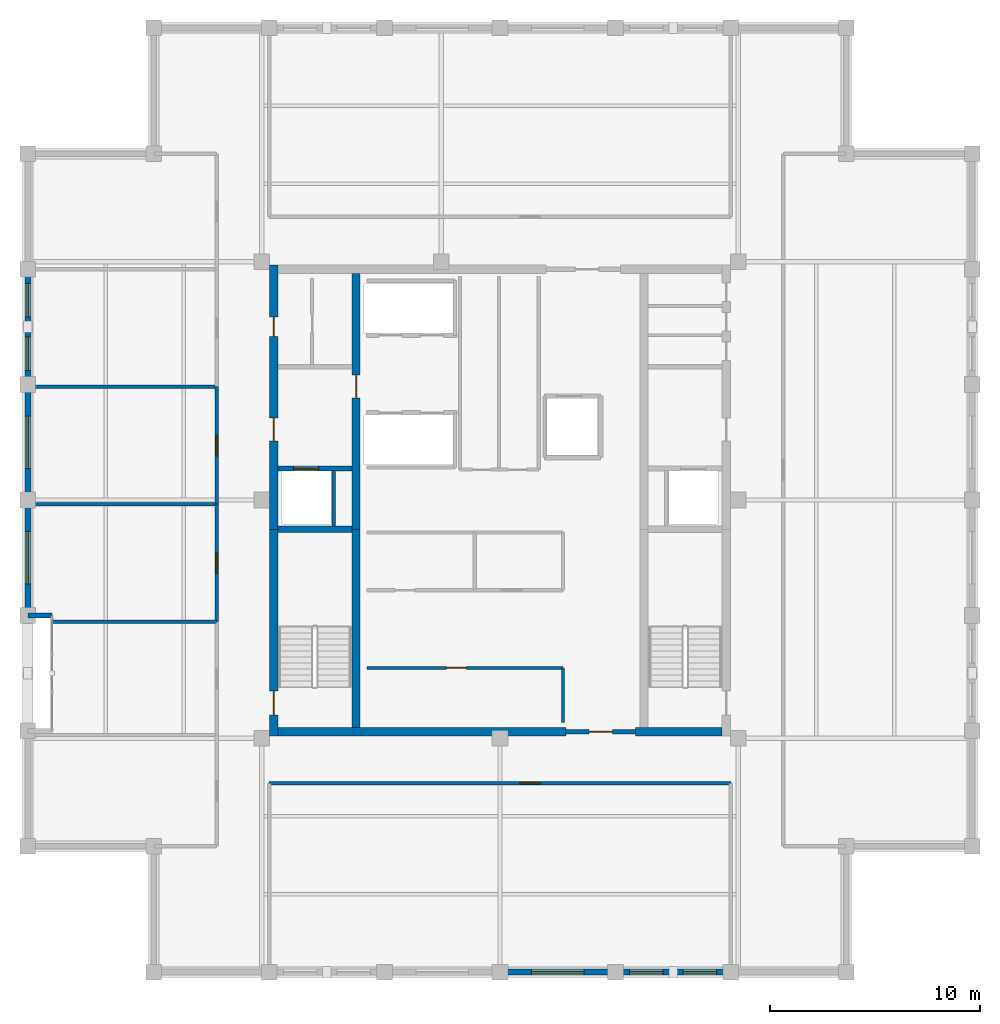
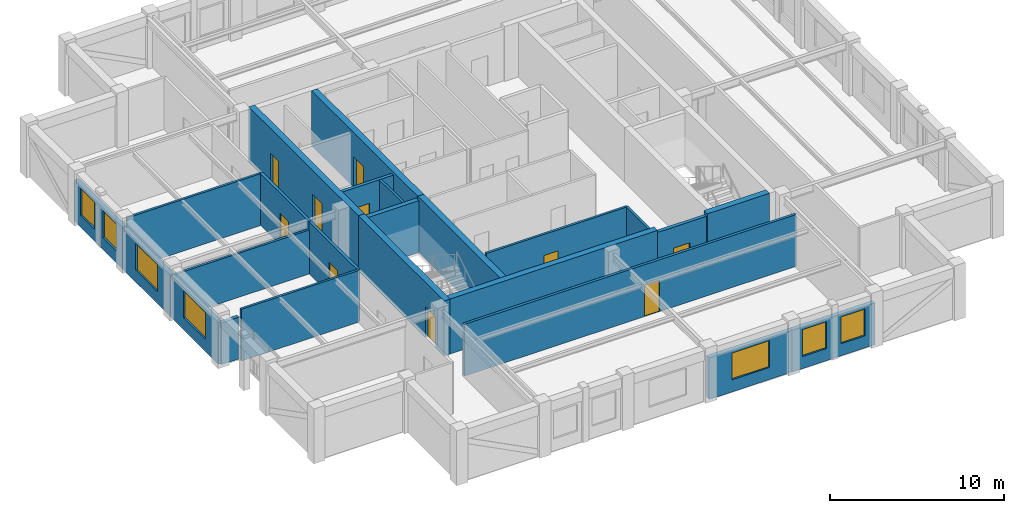
# One storey, part 6 of 10: 24 walls, 10 doors, 7 windows, 17 openings.
"""IFC4 building model written with IfcOpenShell, lengths in metres."""

from ifc_helpers import new_model, si_unit, direction, frame, frame_2d, origin, place, context, subcontext, project, spatial, rectangle, extrude, material, layer, layer_set, type_object, element, fill, save


model = new_model("IFC4")

# Units and contexts
model_context = context("Model", 3, precision=1e-05, world=origin(), true_north=direction((0.0, 1.0)))
body_context = subcontext(model_context, "Body", "Model", "MODEL_VIEW")
ifc_project = project(units=[si_unit("LENGTHUNIT", "METRE"), si_unit("AREAUNIT", "SQUARE_METRE"), si_unit("VOLUMEUNIT", "CUBIC_METRE"), si_unit("PLANEANGLEUNIT", "RADIAN"), si_unit("MASSUNIT", "GRAM", prefix="KILO")], contexts=[model_context])

# Site, building, storey
site_placement = place(None, origin())
site = spatial("IfcSite", under=ifc_project, at=site_placement, CompositionType="ELEMENT")
building_placement = place(site_placement, origin())
building = spatial("IfcBuilding", under=site, at=building_placement, Name="Nhamokura Convention Tower", CompositionType="ELEMENT")
storey_placement = place(building_placement, frame((0.0, 0.0, 304.5)))
storey = spatial("IfcBuildingStorey", under=building, at=storey_placement, Name="L75", CompositionType="ELEMENT", Elevation=304.5)

# Wall, opening, window
ifc_material_1 = material(Name="Bronze-pigmented precast concrete C45/55", Category="concrete")
ifc_layer_1 = layer(ifc_material_1, 0.280029296875)
ifc_layer_set_1 = layer_set([ifc_layer_1], Name="BronzePrecastSpandrel_280")
wall_type_1 = type_object("IfcWallType", Name="BronzePrecastSpandrel_280", PredefinedType="USERDEFINED", material=ifc_layer_set_1)
wall_1_placement = place(storey_placement, frame((37.5, 9.5, 0.0), z_axis=(0.0, 0.0, 1.0), x_axis=(-1.0, 0.0, 0.0)))
wall_1 = element("IfcWall", 1, at=wall_1_placement, inside=storey, type_object=wall_type_1, Name="L75 Masonry-Frame Wall SOUTH 3", ObjectType="SPANDREL_WALL", PredefinedType="USERDEFINED", context=body_context, shape_type="SweptSolid", body=[
    extrude(rectangle(XDim=5.5, YDim=0.280029296875, at=frame_2d((2.75, 0.0))), origin(), (0.0, 0.0, 1.0), 2.929931640625),
])
opening_1_placement = place(wall_1_placement, frame((1.5, 0.0, 0.85009765625)))
opening_1 = element("IfcOpeningElement", 2, at=opening_1_placement, cuts=wall_1, Name="Opening W-09", PredefinedType="OPENING", context=body_context, shape_type="SweptSolid", body=[
    extrude(rectangle(XDim=2.5, YDim=1.8798828125, at=frame_2d((1.25, 0.93994140625))), frame((0.0, 0.14990234375, 0.0), z_axis=(0.0, -1.0, 0.0), x_axis=(1.0, 0.0, 0.0)), (0.0, 0.0, 1.0), 0.300048828125),
])
ifc_material_2 = material(Name="Solar-control bronze low-E double glass", Category="glass")
window_type_1 = type_object("IfcWindowType", Name="SummitWindow_Z4_2500", PartitioningType="DOUBLE_PANEL_VERTICAL", PredefinedType="WINDOW", material=ifc_material_2)
window_1_placement = place(opening_1_placement, origin())
window_1 = element("IfcWindow", 3, at=window_1_placement, inside=storey, type_object=window_type_1, Name="L75 Facade Window SOUTH 3", OverallHeight=1.8798828125, OverallWidth=2.5, PartitioningType="SINGLE_PANEL", PredefinedType="WINDOW", context=body_context, shape_type="SweptSolid", body=[
    extrude(rectangle(XDim=2.5, YDim=1.8798828125, at=frame_2d((1.25, 0.93994140625))), frame((0.0, 0.030029296875, 0.0), z_axis=(0.0, -1.0, 0.0), x_axis=(1.0, 0.0, 0.0)), (0.0, 0.0, 1.0), 0.06005859375),
])
fill(opening_1, window_1)

# Wall, openings, windows
wall_2_placement = place(storey_placement, frame((43.0, 9.5, 0.0), z_axis=(0.0, 0.0, 1.0), x_axis=(-1.0, 0.0, 0.0)))
wall_2 = element("IfcWall", 4, at=wall_2_placement, inside=storey, type_object=wall_type_1, Name="L75 Masonry-Frame Wall SOUTH 4", ObjectType="SPANDREL_WALL", PredefinedType="USERDEFINED", context=body_context, shape_type="SweptSolid", body=[
    extrude(rectangle(XDim=5.5, YDim=0.280029296875, at=frame_2d((2.75, 0.0))), origin(), (0.0, 0.0, 1.0), 2.929931640625),
])
opening_2_placement = place(wall_2_placement, frame((0.675048828125, 0.0, 0.85009765625)))
opening_2 = element("IfcOpeningElement", 5, at=opening_2_placement, cuts=wall_2, Name="Opening W-11", PredefinedType="OPENING", context=body_context, shape_type="SweptSolid", body=[
    extrude(rectangle(XDim=1.60009765625, YDim=1.8798828125, at=frame_2d((0.800048828125, 0.93994140625))), frame((0.0, 0.14990234375, 0.0), z_axis=(0.0, -1.0, 0.0), x_axis=(1.0, 0.0, 0.0)), (0.0, 0.0, 1.0), 0.300048828125),
])
opening_3_placement = place(wall_2_placement, frame((3.22509765625, 0.0, 0.85009765625)))
opening_3 = element("IfcOpeningElement", 6, at=opening_3_placement, cuts=wall_2, Name="Opening W-11", PredefinedType="OPENING", context=body_context, shape_type="SweptSolid", body=[
    extrude(rectangle(XDim=1.60009765625, YDim=1.8798828125, at=frame_2d((0.800048828125, 0.93994140625))), frame((0.0, 0.14990234375, 0.0), z_axis=(0.0, -1.0, 0.0), x_axis=(1.0, 0.0, 0.0)), (0.0, 0.0, 1.0), 0.300048828125),
])
ifc_material_3 = material(Name="Solar-control bronze low-E double glass", Category="glass")
window_type_2 = type_object("IfcWindowType", Name="NotchCornerWindow_1600", PartitioningType="SINGLE_PANEL", PredefinedType="WINDOW", material=ifc_material_3)
window_2_placement = place(opening_2_placement, origin())
window_2 = element("IfcWindow", 7, at=window_2_placement, inside=storey, type_object=window_type_2, Name="L75 Facade Window SOUTH 4-1", OverallHeight=1.8798828125, OverallWidth=1.60009765625, PartitioningType="SINGLE_PANEL", PredefinedType="WINDOW", context=body_context, shape_type="SweptSolid", body=[
    extrude(rectangle(XDim=1.60009765625, YDim=1.8798828125, at=frame_2d((0.800048828125, 0.93994140625))), frame((0.0, 0.030029296875, 0.0), z_axis=(0.0, -1.0, 0.0), x_axis=(1.0, 0.0, 0.0)), (0.0, 0.0, 1.0), 0.06005859375),
])
fill(opening_2, window_2)
window_3_placement = place(opening_3_placement, origin())
window_3 = element("IfcWindow", 8, at=window_3_placement, inside=storey, type_object=window_type_2, Name="L75 Facade Window SOUTH 4-2", OverallHeight=1.8798828125, OverallWidth=1.60009765625, PartitioningType="SINGLE_PANEL", PredefinedType="WINDOW", context=body_context, shape_type="SweptSolid", body=[
    extrude(rectangle(XDim=1.60009765625, YDim=1.8798828125, at=frame_2d((0.800048828125, 0.93994140625))), frame((0.0, 0.030029296875, 0.0), z_axis=(0.0, -1.0, 0.0), x_axis=(1.0, 0.0, 0.0)), (0.0, 0.0, 1.0), 0.06005859375),
])
fill(opening_3, window_3)

# Wall
wall_3_placement = place(storey_placement, frame((9.5, 26.5, 0.0), z_axis=(0.0, 0.0, 1.0), x_axis=(1.0, 0.0, 0.0)))
element("IfcWall", 9, at=wall_3_placement, inside=storey, type_object=wall_type_1, Name="L75 Scale Slot Cheek Wall WESTB", ObjectType="SPANDREL_WALL", PredefinedType="USERDEFINED", context=body_context, shape_type="SweptSolid", body=[
    extrude(rectangle(XDim=1.14990234375, YDim=0.239990234375, at=frame_2d((0.574951171875, 0.0))), origin(), (0.0, 0.0, 1.0), 2.929931640625),
])

# Wall, opening, window
wall_4_placement = place(storey_placement, frame((9.5, 26.5, 0.0), z_axis=(0.0, 0.0, 1.0), x_axis=(0.0, 1.0, 0.0)))
wall_4 = element("IfcWall", 10, at=wall_4_placement, inside=storey, type_object=wall_type_1, Name="L75 Masonry-Frame Wall WEST 2", ObjectType="SPANDREL_WALL", PredefinedType="USERDEFINED", context=body_context, shape_type="SweptSolid", body=[
    extrude(rectangle(XDim=5.5, YDim=0.280029296875, at=frame_2d((2.75, 0.0))), origin(), (0.0, 0.0, 1.0), 2.929931640625),
])
opening_4_placement = place(wall_4_placement, frame((1.5, 0.0, 0.85009765625)))
opening_4 = element("IfcOpeningElement", 11, at=opening_4_placement, cuts=wall_4, Name="Opening W-09", PredefinedType="OPENING", context=body_context, shape_type="SweptSolid", body=[
    extrude(rectangle(XDim=2.5, YDim=1.8798828125, at=frame_2d((1.25, 0.93994140625))), frame((0.0, 0.14990234375, 0.0), z_axis=(0.0, -1.0, 0.0), x_axis=(1.0, 0.0, 0.0)), (0.0, 0.0, 1.0), 0.300048828125),
])
window_4_placement = place(opening_4_placement, origin())
window_4 = element("IfcWindow", 12, at=window_4_placement, inside=storey, type_object=window_type_1, Name="L75 Facade Window WEST 2", OverallHeight=1.8798828125, OverallWidth=2.5, PartitioningType="SINGLE_PANEL", PredefinedType="WINDOW", context=body_context, shape_type="SweptSolid", body=[
    extrude(rectangle(XDim=2.5, YDim=1.8798828125, at=frame_2d((1.25, 0.93994140625))), frame((0.0, 0.030029296875, 0.0), z_axis=(0.0, -1.0, 0.0), x_axis=(1.0, 0.0, 0.0)), (0.0, 0.0, 1.0), 0.06005859375),
])
fill(opening_4, window_4)

wall_5_placement = place(storey_placement, frame((9.5, 32.0, 0.0), z_axis=(0.0, 0.0, 1.0), x_axis=(0.0, 1.0, 0.0)))
wall_5 = element("IfcWall", 13, at=wall_5_placement, inside=storey, type_object=wall_type_1, Name="L75 Masonry-Frame Wall WEST 3", ObjectType="SPANDREL_WALL", PredefinedType="USERDEFINED", context=body_context, shape_type="SweptSolid", body=[
    extrude(rectangle(XDim=5.5, YDim=0.280029296875, at=frame_2d((2.75, 0.0))), origin(), (0.0, 0.0, 1.0), 2.929931640625),
])
opening_5_placement = place(wall_5_placement, frame((1.5, 0.0, 0.85009765625)))
opening_5 = element("IfcOpeningElement", 14, at=opening_5_placement, cuts=wall_5, Name="Opening W-09", PredefinedType="OPENING", context=body_context, shape_type="SweptSolid", body=[
    extrude(rectangle(XDim=2.5, YDim=1.8798828125, at=frame_2d((1.25, 0.93994140625))), frame((0.0, 0.14990234375, 0.0), z_axis=(0.0, -1.0, 0.0), x_axis=(1.0, 0.0, 0.0)), (0.0, 0.0, 1.0), 0.300048828125),
])
window_5_placement = place(opening_5_placement, origin())
window_5 = element("IfcWindow", 15, at=window_5_placement, inside=storey, type_object=window_type_1, Name="L75 Facade Window WEST 3", OverallHeight=1.8798828125, OverallWidth=2.5, PartitioningType="SINGLE_PANEL", PredefinedType="WINDOW", context=body_context, shape_type="SweptSolid", body=[
    extrude(rectangle(XDim=2.5, YDim=1.8798828125, at=frame_2d((1.25, 0.93994140625))), frame((0.0, 0.030029296875, 0.0), z_axis=(0.0, -1.0, 0.0), x_axis=(1.0, 0.0, 0.0)), (0.0, 0.0, 1.0), 0.06005859375),
])
fill(opening_5, window_5)

# Wall, openings, windows
wall_6_placement = place(storey_placement, frame((9.5, 37.5, 0.0), z_axis=(0.0, 0.0, 1.0), x_axis=(0.0, 1.0, 0.0)))
wall_6 = element("IfcWall", 16, at=wall_6_placement, inside=storey, type_object=wall_type_1, Name="L75 Masonry-Frame Wall WEST 4", ObjectType="SPANDREL_WALL", PredefinedType="USERDEFINED", context=body_context, shape_type="SweptSolid", body=[
    extrude(rectangle(XDim=5.5, YDim=0.280029296875, at=frame_2d((2.75, 0.0))), origin(), (0.0, 0.0, 1.0), 2.929931640625),
])
opening_6_placement = place(wall_6_placement, frame((0.675048828125, 0.0, 0.85009765625)))
opening_6 = element("IfcOpeningElement", 17, at=opening_6_placement, cuts=wall_6, Name="Opening W-11", PredefinedType="OPENING", context=body_context, shape_type="SweptSolid", body=[
    extrude(rectangle(XDim=1.60009765625, YDim=1.8798828125, at=frame_2d((0.800048828125, 0.93994140625))), frame((0.0, 0.14990234375, 0.0), z_axis=(0.0, -1.0, 0.0), x_axis=(1.0, 0.0, 0.0)), (0.0, 0.0, 1.0), 0.300048828125),
])
opening_7_placement = place(wall_6_placement, frame((3.22509765625, 0.0, 0.85009765625)))
opening_7 = element("IfcOpeningElement", 18, at=opening_7_placement, cuts=wall_6, Name="Opening W-11", PredefinedType="OPENING", context=body_context, shape_type="SweptSolid", body=[
    extrude(rectangle(XDim=1.60009765625, YDim=1.8798828125, at=frame_2d((0.800048828125, 0.93994140625))), frame((0.0, 0.14990234375, 0.0), z_axis=(0.0, -1.0, 0.0), x_axis=(1.0, 0.0, 0.0)), (0.0, 0.0, 1.0), 0.300048828125),
])
window_6_placement = place(opening_6_placement, origin())
window_6 = element("IfcWindow", 19, at=window_6_placement, inside=storey, type_object=window_type_2, Name="L75 Facade Window WEST 4-1", OverallHeight=1.8798828125, OverallWidth=1.60009765625, PartitioningType="SINGLE_PANEL", PredefinedType="WINDOW", context=body_context, shape_type="SweptSolid", body=[
    extrude(rectangle(XDim=1.60009765625, YDim=1.8798828125, at=frame_2d((0.800048828125, 0.93994140625))), frame((0.0, 0.030029296875, 0.0), z_axis=(0.0, -1.0, 0.0), x_axis=(1.0, 0.0, 0.0)), (0.0, 0.0, 1.0), 0.06005859375),
])
fill(opening_6, window_6)
window_7_placement = place(opening_7_placement, origin())
window_7 = element("IfcWindow", 20, at=window_7_placement, inside=storey, type_object=window_type_2, Name="L75 Facade Window WEST 4-2", OverallHeight=1.8798828125, OverallWidth=1.60009765625, PartitioningType="SINGLE_PANEL", PredefinedType="WINDOW", context=body_context, shape_type="SweptSolid", body=[
    extrude(rectangle(XDim=1.60009765625, YDim=1.8798828125, at=frame_2d((0.800048828125, 0.93994140625))), frame((0.0, 0.030029296875, 0.0), z_axis=(0.0, -1.0, 0.0), x_axis=(1.0, 0.0, 0.0)), (0.0, 0.0, 1.0), 0.06005859375),
])
fill(opening_7, window_7)

# Wall, opening, door
ifc_material_4 = material(Name="Concrete C50/60", Category="concrete")
ifc_layer_2 = layer(ifc_material_4, 0.39990234375)
ifc_layer_set_2 = layer_set([ifc_layer_2], Name="CoreShearWall_400")
wall_type_2 = type_object("IfcWallType", Name="CoreShearWall_400", PredefinedType="SHEAR", material=ifc_layer_set_2)
wall_7_placement = place(storey_placement, frame((21.2099609375, 20.75, 0.0), z_axis=(0.0, 0.0, 1.0), x_axis=(0.0, 1.0, 0.0)))
wall_7 = element("IfcWall", 21, at=wall_7_placement, inside=storey, type_object=wall_type_2, Name="L75 Core Shear Wall CW-WS", PredefinedType="SHEAR", context=body_context, shape_type="SweptSolid", body=[
    extrude(rectangle(XDim=9.85009765625, YDim=0.39990234375, at=frame_2d((4.925048828125, 0.0))), origin(), (0.0, 0.0, 1.0), 3.85009765625),
])
opening_8_placement = place(wall_7_placement, frame((1.0, 0.0, 0.0)))
opening_8 = element("IfcOpeningElement", 22, at=opening_8_placement, cuts=wall_7, Name="Opening D-04", PredefinedType="OPENING", context=body_context, shape_type="SweptSolid", body=[
    extrude(rectangle(XDim=1.14990234375, YDim=2.14990234375, at=frame_2d((0.574951171875, 1.074951171875))), frame((0.0, 0.2099609375, 0.0), z_axis=(0.0, -1.0, 0.0), x_axis=(1.0, 0.0, 0.0)), (0.0, 0.0, 1.0), 0.419921875),
])
ifc_material_5 = material(Name="Fire-rated steel door", Category="steel")
door_type_1 = type_object("IfcDoorType", Name="StairSmokeDoor_1150", OperationType="NOTDEFINED", PredefinedType="DOOR", material=ifc_material_5)
door_1_placement = place(opening_8_placement, origin())
door_1 = element("IfcDoor", 23, at=door_1_placement, inside=storey, type_object=door_type_1, Name="L75 Core Door INT-L75-D-ST01", OperationType="SINGLE_SWING_LEFT", OverallHeight=2.14990234375, OverallWidth=1.14990234375, PredefinedType="DOOR", context=body_context, shape_type="SweptSolid", body=[
    extrude(rectangle(XDim=1.14990234375, YDim=2.14990234375, at=frame_2d((0.574951171875, 1.074951171875))), frame((0.0, 0.02490234375, 0.0), z_axis=(0.0, -1.0, 0.0), x_axis=(1.0, 0.0, 0.0)), (0.0, 0.0, 1.0), 0.050048828125),
])
fill(opening_8, door_1)

# Wall, openings, doors
wall_8_placement = place(storey_placement, frame((21.2099609375, 30.60009765625, 0.0), z_axis=(0.0, 0.0, 1.0), x_axis=(0.0, 1.0, 0.0)))
wall_8 = element("IfcWall", 24, at=wall_8_placement, inside=storey, type_object=wall_type_2, Name="L75 Core Shear Wall CW-WN", PredefinedType="SHEAR", context=body_context, shape_type="SweptSolid", body=[
    extrude(rectangle(XDim=12.599853515625, YDim=0.39990234375, at=frame_2d((6.2998046875, 0.0))), origin(), (0.0, 0.0, 1.0), 3.85009765625),
])
opening_9_placement = place(wall_8_placement, frame((4.199951171875, 0.0, 0.0)))
opening_9 = element("IfcOpeningElement", 25, at=opening_9_placement, cuts=wall_8, Name="Opening D-05", PredefinedType="OPENING", context=body_context, shape_type="SweptSolid", body=[
    extrude(rectangle(XDim=1.10009765625, YDim=2.14990234375, at=frame_2d((0.550048828125, 1.074951171875))), frame((0.0, 0.2099609375, 0.0), z_axis=(0.0, -1.0, 0.0), x_axis=(1.0, 0.0, 0.0)), (0.0, 0.0, 1.0), 0.419921875),
])
opening_10_placement = place(wall_8_placement, frame((9.199951171875, 0.0, 0.0)))
opening_10 = element("IfcOpeningElement", 26, at=opening_10_placement, cuts=wall_8, Name="Opening D-10", PredefinedType="OPENING", context=body_context, shape_type="SweptSolid", body=[
    extrude(rectangle(XDim=0.919921875, YDim=2.10009765625, at=frame_2d((0.4599609375, 1.050048828125))), frame((0.0, 0.2099609375, 0.0), z_axis=(0.0, -1.0, 0.0), x_axis=(1.0, 0.0, 0.0)), (0.0, 0.0, 1.0), 0.419921875),
])
ifc_material_6 = material(Name="Solid oak hardwood", Category="wood")
door_type_2 = type_object("IfcDoorType", Name="AccessibleWCDoor_920", OperationType="NOTDEFINED", PredefinedType="DOOR", material=ifc_material_6)
door_2_placement = place(opening_10_placement, origin())
door_2 = element("IfcDoor", 27, at=door_2_placement, inside=storey, type_object=door_type_2, Name="L75 Core Door INT-L75-D-AWCW", OperationType="SINGLE_SWING_RIGHT", OverallHeight=2.10009765625, OverallWidth=0.919921875, PredefinedType="DOOR", context=body_context, shape_type="SweptSolid", body=[
    extrude(rectangle(XDim=0.919921875, YDim=2.10009765625, at=frame_2d((0.4599609375, 1.050048828125))), frame((0.0, 0.02490234375, 0.0), z_axis=(0.0, -1.0, 0.0), x_axis=(1.0, 0.0, 0.0)), (0.0, 0.0, 1.0), 0.050048828125),
])
fill(opening_10, door_2)
ifc_material_7 = material(Name="Fire-rated steel door", Category="steel")
door_type_3 = type_object("IfcDoorType", Name="FireLobbyDoor_1100", OperationType="NOTDEFINED", PredefinedType="DOOR", material=ifc_material_7)
door_3_placement = place(opening_9_placement, origin())
door_3 = element("IfcDoor", 28, at=door_3_placement, inside=storey, type_object=door_type_3, Name="L75 Core Door INT-L75-D-FFLW", OperationType="SINGLE_SWING_RIGHT", OverallHeight=2.14990234375, OverallWidth=1.10009765625, PredefinedType="DOOR", context=body_context, shape_type="SweptSolid", body=[
    extrude(rectangle(XDim=1.10009765625, YDim=2.14990234375, at=frame_2d((0.550048828125, 1.074951171875))), frame((0.0, 0.02490234375, 0.0), z_axis=(0.0, -1.0, 0.0), x_axis=(1.0, 0.0, 0.0)), (0.0, 0.0, 1.0), 0.050048828125),
])
fill(opening_9, door_3)

# Walls
wall_9_placement = place(storey_placement, frame((21.409912109375, 20.949951171875, 0.0), z_axis=(0.0, 0.0, 1.0), x_axis=(1.0, 0.0, 0.0)))
element("IfcWall", 29, at=wall_9_placement, inside=storey, type_object=wall_type_2, Name="L75 Core Shear Wall CW-S1", PredefinedType="SHEAR", context=body_context, shape_type="SweptSolid", body=[
    extrude(rectangle(XDim=13.739990234375, YDim=0.39990234375, at=frame_2d((6.8701171875, 0.0))), origin(), (0.0, 0.0, 1.0), 3.85009765625),
])
wall_10_placement = place(storey_placement, frame((38.449951171875, 20.949951171875, 0.0), z_axis=(0.0, 0.0, 1.0), x_axis=(1.0, 0.0, 0.0)))
element("IfcWall", 30, at=wall_10_placement, inside=storey, type_object=wall_type_2, Name="L75 Core Shear Wall CW-S2", PredefinedType="SHEAR", context=body_context, shape_type="SweptSolid", body=[
    extrude(rectangle(XDim=4.14013671875, YDim=0.39990234375, at=frame_2d((2.070068359375, 0.0))), origin(), (0.0, 0.0, 1.0), 3.85009765625),
])
wall_11_placement = place(storey_placement, frame((25.139892578125, 21.14990234375, 0.0), z_axis=(0.0, 0.0, 1.0), x_axis=(0.0, 1.0, 0.0)))
element("IfcWall", 31, at=wall_11_placement, inside=storey, type_object=wall_type_2, Name="L75 Core Shear Wall CW-IWS", PredefinedType="SHEAR", context=body_context, shape_type="SweptSolid", body=[
    extrude(rectangle(XDim=9.4501953125, YDim=0.39990234375, at=frame_2d((4.72509765625, 0.0))), origin(), (0.0, 0.0, 1.0), 3.85009765625),
])

# Wall, opening, door
wall_12_placement = place(storey_placement, frame((25.139892578125, 30.60009765625, 0.0), z_axis=(0.0, 0.0, 1.0), x_axis=(0.0, 1.0, 0.0)))
wall_12 = element("IfcWall", 32, at=wall_12_placement, inside=storey, type_object=wall_type_2, Name="L75 Core Shear Wall CW-IWN", PredefinedType="SHEAR", context=body_context, shape_type="SweptSolid", body=[
    extrude(rectangle(XDim=12.199951171875, YDim=0.39990234375, at=frame_2d((6.10009765625, 0.0))), origin(), (0.0, 0.0, 1.0), 3.85009765625),
])
opening_11_placement = place(wall_12_placement, frame((6.25, 0.0, 0.0)))
opening_11 = element("IfcOpeningElement", 33, at=opening_11_placement, cuts=wall_12, Name="Opening D-05", PredefinedType="OPENING", context=body_context, shape_type="SweptSolid", body=[
    extrude(rectangle(XDim=1.10009765625, YDim=2.14990234375, at=frame_2d((0.550048828125, 1.074951171875))), frame((0.0, 0.2099609375, 0.0), z_axis=(0.0, -1.0, 0.0), x_axis=(1.0, 0.0, 0.0)), (0.0, 0.0, 1.0), 0.419921875),
])
door_4_placement = place(opening_11_placement, origin())
door_4 = element("IfcDoor", 34, at=door_4_placement, inside=storey, type_object=door_type_3, Name="L75 Core Door INT-L75-D-B3LOB", OperationType="SINGLE_SWING_LEFT", OverallHeight=2.14990234375, OverallWidth=1.10009765625, PredefinedType="DOOR", context=body_context, shape_type="SweptSolid", body=[
    extrude(rectangle(XDim=1.10009765625, YDim=2.14990234375, at=frame_2d((0.550048828125, 1.074951171875))), frame((0.0, 0.02490234375, 0.0), z_axis=(0.0, -1.0, 0.0), x_axis=(1.0, 0.0, 0.0)), (0.0, 0.0, 1.0), 0.050048828125),
])
fill(opening_11, door_4)

ifc_material_8 = material(Name="Fire-rated gypsum and masonry partition", Category="masonry")
ifc_layer_3 = layer(ifc_material_8, 0.179931640625)
ifc_layer_set_3 = layer_set([ifc_layer_3], Name="CorridorRatedWall_180")
wall_type_3 = type_object("IfcWallType", Name="CorridorRatedWall_180", PredefinedType="STANDARD", material=ifc_layer_set_3)
wall_13_placement = place(storey_placement, frame((21.0, 18.5, 0.0), z_axis=(0.0, 0.0, 1.0), x_axis=(1.0, 0.0, 0.0)))
wall_13 = element("IfcWall", 35, at=wall_13_placement, inside=storey, type_object=wall_type_3, Name="L75 Wall INT-L75-CW-S00", PredefinedType="STANDARD", context=body_context, shape_type="SweptSolid", body=[
    extrude(rectangle(XDim=22.0, YDim=0.179931640625, at=frame_2d((11.0, 0.0))), origin(), (0.0, 0.0, 1.0), 3.6298828125),
])
opening_12_placement = place(wall_13_placement, frame((11.949951171875, 0.0, 0.0)))
opening_12 = element("IfcOpeningElement", 36, at=opening_12_placement, cuts=wall_13, Name="Opening D-08", PredefinedType="OPENING", context=body_context, shape_type="SweptSolid", body=[
    extrude(rectangle(XDim=0.97998046875, YDim=2.199951171875, at=frame_2d((0.489990234375, 1.10009765625))), frame((0.0, 0.099853515625, 0.0), z_axis=(0.0, -1.0, 0.0), x_axis=(1.0, 0.0, 0.0)), (0.0, 0.0, 1.0), 0.199951171875),
])
ifc_material_9 = material(Name="Solid oak hardwood", Category="wood")
door_type_4 = type_object("IfcDoorType", Name="OfficeEntryDoor_980", OperationType="NOTDEFINED", PredefinedType="DOOR", material=ifc_material_9)
door_5_placement = place(opening_12_placement, origin())
door_5 = element("IfcDoor", 37, at=door_5_placement, inside=storey, type_object=door_type_4, Name="L75 Banquet Dining Room S01 Door", OperationType="SINGLE_SWING_LEFT", OverallHeight=2.199951171875, OverallWidth=0.97998046875, PredefinedType="DOOR", context=body_context, shape_type="SweptSolid", body=[
    extrude(rectangle(XDim=0.97998046875, YDim=2.199951171875, at=frame_2d((0.489990234375, 1.10009765625))), frame((0.0, 0.02490234375, 0.0), z_axis=(0.0, -1.0, 0.0), x_axis=(1.0, 0.0, 0.0)), (0.0, 0.0, 1.0), 0.050048828125),
])
fill(opening_12, door_5)

wall_14_placement = place(storey_placement, frame((18.5, 26.199951171875, 0.0), z_axis=(0.0, 0.0, 1.0), x_axis=(0.0, 1.0, 0.0)))
wall_14 = element("IfcWall", 38, at=wall_14_placement, inside=storey, type_object=wall_type_3, Name="L75 Wall INT-L75-CW-W02", PredefinedType="STANDARD", context=body_context, shape_type="SweptSolid", body=[
    extrude(rectangle(XDim=5.60009765625, YDim=0.179931640625, at=frame_2d((2.800048828125, 0.0))), origin(), (0.0, 0.0, 1.0), 3.6298828125),
])
opening_13_placement = place(wall_14_placement, frame((2.300048828125, 0.0, 0.0)))
opening_13 = element("IfcOpeningElement", 39, at=opening_13_placement, cuts=wall_14, Name="Opening D-08", PredefinedType="OPENING", context=body_context, shape_type="SweptSolid", body=[
    extrude(rectangle(XDim=0.97998046875, YDim=2.199951171875, at=frame_2d((0.489990234375, 1.10009765625))), frame((0.0, 0.099853515625, 0.0), z_axis=(0.0, -1.0, 0.0), x_axis=(1.0, 0.0, 0.0)), (0.0, 0.0, 1.0), 0.199951171875),
])
door_6_placement = place(opening_13_placement, origin())
door_6 = element("IfcDoor", 40, at=door_6_placement, inside=storey, type_object=door_type_4, Name="L75 Broadcast Studio W03 Door", OperationType="SINGLE_SWING_LEFT", OverallHeight=2.199951171875, OverallWidth=0.97998046875, PredefinedType="DOOR", context=body_context, shape_type="SweptSolid", body=[
    extrude(rectangle(XDim=0.97998046875, YDim=2.199951171875, at=frame_2d((0.489990234375, 1.10009765625))), frame((0.0, 0.02490234375, 0.0), z_axis=(0.0, -1.0, 0.0), x_axis=(1.0, 0.0, 0.0)), (0.0, 0.0, 1.0), 0.050048828125),
])
fill(opening_13, door_6)

wall_15_placement = place(storey_placement, frame((18.5, 31.800048828125, 0.0), z_axis=(0.0, 0.0, 1.0), x_axis=(0.0, 1.0, 0.0)))
wall_15 = element("IfcWall", 41, at=wall_15_placement, inside=storey, type_object=wall_type_3, Name="L75 Wall INT-L75-CW-W03", PredefinedType="STANDARD", context=body_context, shape_type="SweptSolid", body=[
    extrude(rectangle(XDim=5.599853515625, YDim=0.179931640625, at=frame_2d((2.7998046875, 0.0))), origin(), (0.0, 0.0, 1.0), 3.6298828125),
])
opening_14_placement = place(wall_15_placement, frame((2.300048828125, 0.0, 0.0)))
opening_14 = element("IfcOpeningElement", 42, at=opening_14_placement, cuts=wall_15, Name="Opening D-08", PredefinedType="OPENING", context=body_context, shape_type="SweptSolid", body=[
    extrude(rectangle(XDim=0.97998046875, YDim=2.199951171875, at=frame_2d((0.489990234375, 1.10009765625))), frame((0.0, 0.099853515625, 0.0), z_axis=(0.0, -1.0, 0.0), x_axis=(1.0, 0.0, 0.0)), (0.0, 0.0, 1.0), 0.199951171875),
])
door_7_placement = place(opening_14_placement, origin())
door_7 = element("IfcDoor", 43, at=door_7_placement, inside=storey, type_object=door_type_4, Name="L75 Data Laboratory W04 Door", OperationType="SINGLE_SWING_RIGHT", OverallHeight=2.199951171875, OverallWidth=0.97998046875, PredefinedType="DOOR", context=body_context, shape_type="SweptSolid", body=[
    extrude(rectangle(XDim=0.97998046875, YDim=2.199951171875, at=frame_2d((0.489990234375, 1.10009765625))), frame((0.0, 0.02490234375, 0.0), z_axis=(0.0, -1.0, 0.0), x_axis=(1.0, 0.0, 0.0)), (0.0, 0.0, 1.0), 0.050048828125),
])
fill(opening_14, door_7)

ifc_material_10 = material(Name="Autoclaved concrete blockwork", Category="masonry")
ifc_layer_4 = layer(ifc_material_10, 0.219970703125)
ifc_layer_set_4 = layer_set([ifc_layer_4], Name="FireLobbyWall_220")
wall_type_4 = type_object("IfcWallType", Name="FireLobbyWall_220", PredefinedType="STANDARD", material=ifc_layer_set_4)
wall_16_placement = place(storey_placement, frame((21.409912109375, 33.5, 0.0), z_axis=(0.0, 0.0, 1.0), x_axis=(1.0, 0.0, 0.0)))
wall_16 = element("IfcWall", 44, at=wall_16_placement, inside=storey, type_object=wall_type_4, Name="L75 Wall INT-L75-FFW-S", PredefinedType="STANDARD", context=body_context, shape_type="SweptSolid", body=[
    extrude(rectangle(XDim=3.530029296875, YDim=0.219970703125, at=frame_2d((1.76513671875, 0.0))), origin(), (0.0, 0.0, 1.0), 3.6298828125),
])
opening_15_placement = place(wall_16_placement, frame((0.75, 0.0, 0.0)))
opening_15 = element("IfcOpeningElement", 45, at=opening_15_placement, cuts=wall_16, Name="Opening LD-02", PredefinedType="OPENING", context=body_context, shape_type="SweptSolid", body=[
    extrude(rectangle(XDim=1.199951171875, YDim=2.199951171875, at=frame_2d((0.60009765625, 1.10009765625))), frame((0.0, 0.119873046875, 0.0), z_axis=(0.0, -1.0, 0.0), x_axis=(1.0, 0.0, 0.0)), (0.0, 0.0, 1.0), 0.239990234375),
])
ifc_material_11 = material(Name="Anodised bronze stainless steel", Category="steel")
door_type_5 = type_object("IfcDoorType", Name="LiftLandingDoor_FireService", OperationType="DOUBLE_DOOR_SLIDING", PredefinedType="DOOR", material=ifc_material_11)
door_8_placement = place(opening_15_placement, origin())
door_8 = element("IfcDoor", 46, at=door_8_placement, inside=storey, type_object=door_type_5, Name="L75 Firefighting Lift LF-01 Door", OperationType="DOUBLE_DOOR_SLIDING", OverallHeight=2.199951171875, OverallWidth=1.199951171875, PredefinedType="DOOR", context=body_context, shape_type="SweptSolid", body=[
    extrude(rectangle(XDim=1.199951171875, YDim=2.199951171875, at=frame_2d((0.60009765625, 1.10009765625))), frame((0.0, 0.02490234375, 0.0), z_axis=(0.0, -1.0, 0.0), x_axis=(1.0, 0.0, 0.0)), (0.0, 0.0, 1.0), 0.050048828125),
])
fill(opening_15, door_8)

wall_17_placement = place(storey_placement, frame((35.14990234375, 20.949951171875, 0.0), z_axis=(0.0, 0.0, 1.0), x_axis=(1.0, 0.0, 0.0)))
wall_17 = element("IfcWall", 47, at=wall_17_placement, inside=storey, type_object=wall_type_4, Name="L75 Wall INT-L75-SPORT-S", PredefinedType="STANDARD", context=body_context, shape_type="SweptSolid", body=[
    extrude(rectangle(XDim=3.300048828125, YDim=0.219970703125, at=frame_2d((1.64990234375, 0.0))), origin(), (0.0, 0.0, 1.0), 3.6298828125),
])
opening_16_placement = place(wall_17_placement, frame((1.10009765625, 0.0, 0.0)))
opening_16 = element("IfcOpeningElement", 48, at=opening_16_placement, cuts=wall_17, Name="Opening D-05", PredefinedType="OPENING", context=body_context, shape_type="SweptSolid", body=[
    extrude(rectangle(XDim=1.10009765625, YDim=2.14990234375, at=frame_2d((0.550048828125, 1.074951171875))), frame((0.0, 0.119873046875, 0.0), z_axis=(0.0, -1.0, 0.0), x_axis=(1.0, 0.0, 0.0)), (0.0, 0.0, 1.0), 0.239990234375),
])
door_9_placement = place(opening_16_placement, origin())
door_9 = element("IfcDoor", 49, at=door_9_placement, inside=storey, type_object=door_type_3, Name="L75 South Core Lobby Portal Door", OperationType="SINGLE_SWING_LEFT", OverallHeight=2.14990234375, OverallWidth=1.10009765625, PredefinedType="DOOR", context=body_context, shape_type="SweptSolid", body=[
    extrude(rectangle(XDim=1.10009765625, YDim=2.14990234375, at=frame_2d((0.550048828125, 1.074951171875))), frame((0.0, 0.02490234375, 0.0), z_axis=(0.0, -1.0, 0.0), x_axis=(1.0, 0.0, 0.0)), (0.0, 0.0, 1.0), 0.050048828125),
])
fill(opening_16, door_9)

# Wall
ifc_material_12 = material(Name="Acoustic gypsum stud partition", Category="masonry")
ifc_layer_5 = layer(ifc_material_12, 0.14990234375)
ifc_layer_set_5 = layer_set([ifc_layer_5], Name="InteriorPartition_150")
wall_type_5 = type_object("IfcWallType", Name="InteriorPartition_150", PredefinedType="STANDARD", material=ifc_layer_set_5)
wall_18_placement = place(storey_placement, frame((24.080078125, 30.75, 0.0), z_axis=(0.0, 0.0, 1.0), x_axis=(0.0, 1.0, 0.0)))
element("IfcWall", 50, at=wall_18_placement, inside=storey, type_object=wall_type_5, Name="L75 Wall INT-L75-FF1-E", PredefinedType="STANDARD", context=body_context, shape_type="SweptSolid", body=[
    extrude(rectangle(XDim=2.64990234375, YDim=0.14990234375, at=frame_2d((1.324951171875, 0.0))), origin(), (0.0, 0.0, 1.0), 3.6298828125),
])

# Wall, opening, door
wall_19_placement = place(storey_placement, frame((25.64990234375, 24.0, 0.0), z_axis=(0.0, 0.0, 1.0), x_axis=(1.0, 0.0, 0.0)))
wall_19 = element("IfcWall", 51, at=wall_19_placement, inside=storey, type_object=wall_type_5, Name="L75 Wall INT-L75-B1R-N", PredefinedType="STANDARD", context=body_context, shape_type="SweptSolid", body=[
    extrude(rectangle(XDim=9.35009765625, YDim=0.14990234375, at=frame_2d((4.675048828125, 0.0))), origin(), (0.0, 0.0, 1.0), 3.6298828125),
])
opening_17_placement = place(wall_19_placement, frame((3.800048828125, 0.0, 0.0)))
opening_17 = element("IfcOpeningElement", 52, at=opening_17_placement, cuts=wall_19, Name="Opening D-09", PredefinedType="OPENING", context=body_context, shape_type="SweptSolid", body=[
    extrude(rectangle(XDim=0.949951171875, YDim=2.14990234375, at=frame_2d((0.47509765625, 1.074951171875))), frame((0.0, 0.0849609375, 0.0), z_axis=(0.0, -1.0, 0.0), x_axis=(1.0, 0.0, 0.0)), (0.0, 0.0, 1.0), 0.169921875),
])
ifc_material_13 = material(Name="Solid oak hardwood", Category="wood")
door_type_6 = type_object("IfcDoorType", Name="MeetingRoomDoor_950", OperationType="NOTDEFINED", PredefinedType="DOOR", material=ifc_material_13)
door_10_placement = place(opening_17_placement, origin())
door_10 = element("IfcDoor", 53, at=door_10_placement, inside=storey, type_object=door_type_6, Name="L75 Reclaimed Briefing Room Door", OperationType="SINGLE_SWING_RIGHT", OverallHeight=2.14990234375, OverallWidth=0.949951171875, PredefinedType="DOOR", context=body_context, shape_type="SweptSolid", body=[
    extrude(rectangle(XDim=0.949951171875, YDim=2.14990234375, at=frame_2d((0.47509765625, 1.074951171875))), frame((0.0, 0.02490234375, 0.0), z_axis=(0.0, -1.0, 0.0), x_axis=(1.0, 0.0, 0.0)), (0.0, 0.0, 1.0), 0.050048828125),
])
fill(opening_17, door_10)

# Walls
wall_20_placement = place(storey_placement, frame((35.0, 21.39990234375, 0.0), z_axis=(0.0, 0.0, 1.0), x_axis=(0.0, 1.0, 0.0)))
element("IfcWall", 54, at=wall_20_placement, inside=storey, type_object=wall_type_5, Name="L75 Wall INT-L75-B1R-E", PredefinedType="STANDARD", context=body_context, shape_type="SweptSolid", body=[
    extrude(rectangle(XDim=2.60009765625, YDim=0.14990234375, at=frame_2d((1.300048828125, 0.0))), origin(), (0.0, 0.0, 1.0), 3.6298828125),
])
wall_21_placement = place(storey_placement, frame((10.659912109375, 26.199951171875, 0.0), z_axis=(0.0, 0.0, 1.0), x_axis=(1.0, 0.0, 0.0)))
element("IfcWall", 55, at=wall_21_placement, inside=storey, type_object=wall_type_5, Name="L75 Wall INT-L75-RW-W02", PredefinedType="STANDARD", context=body_context, shape_type="SweptSolid", body=[
    extrude(rectangle(XDim=7.840087890625, YDim=0.14990234375, at=frame_2d((3.919921875, 0.0))), origin(), (0.0, 0.0, 1.0), 3.6298828125),
])
wall_22_placement = place(storey_placement, frame((9.56005859375, 31.800048828125, 0.0), z_axis=(0.0, 0.0, 1.0), x_axis=(1.0, 0.0, 0.0)))
element("IfcWall", 56, at=wall_22_placement, inside=storey, type_object=wall_type_5, Name="L75 Wall INT-L75-RW-W03", PredefinedType="STANDARD", context=body_context, shape_type="SweptSolid", body=[
    extrude(rectangle(XDim=8.93994140625, YDim=0.14990234375, at=frame_2d((4.469970703125, 0.0))), origin(), (0.0, 0.0, 1.0), 3.0849609375),
])
wall_23_placement = place(storey_placement, frame((9.56005859375, 37.39990234375, 0.0), z_axis=(0.0, 0.0, 1.0), x_axis=(1.0, 0.0, 0.0)))
element("IfcWall", 57, at=wall_23_placement, inside=storey, type_object=wall_type_5, Name="L75 Wall INT-L75-RW-W04", PredefinedType="STANDARD", context=body_context, shape_type="SweptSolid", body=[
    extrude(rectangle(XDim=8.93994140625, YDim=0.14990234375, at=frame_2d((4.469970703125, 0.0))), origin(), (0.0, 0.0, 1.0), 3.6298828125),
])
ifc_material_14 = material(Name="Concrete C50/60", Category="concrete")
ifc_layer_6 = layer(ifc_material_14, 0.300048828125)
ifc_layer_set_6 = layer_set([ifc_layer_6], Name="ShaftEnclosureWall_300")
wall_type_6 = type_object("IfcWallType", Name="ShaftEnclosureWall_300", PredefinedType="SHEAR", material=ifc_layer_set_6)
wall_24_placement = place(storey_placement, frame((21.409912109375, 30.60009765625, 0.0), z_axis=(0.0, 0.0, 1.0), x_axis=(1.0, 0.0, 0.0)))
element("IfcWall", 58, at=wall_24_placement, inside=storey, type_object=wall_type_6, Name="L75 Wall INT-L75-ST01-N", PredefinedType="SHEAR", context=body_context, shape_type="SweptSolid", body=[
    extrude(rectangle(XDim=3.530029296875, YDim=0.300048828125, at=frame_2d((1.76513671875, 0.0))), origin(), (0.0, 0.0, 1.0), 3.6298828125),
])

save(model, "model.ifc")
